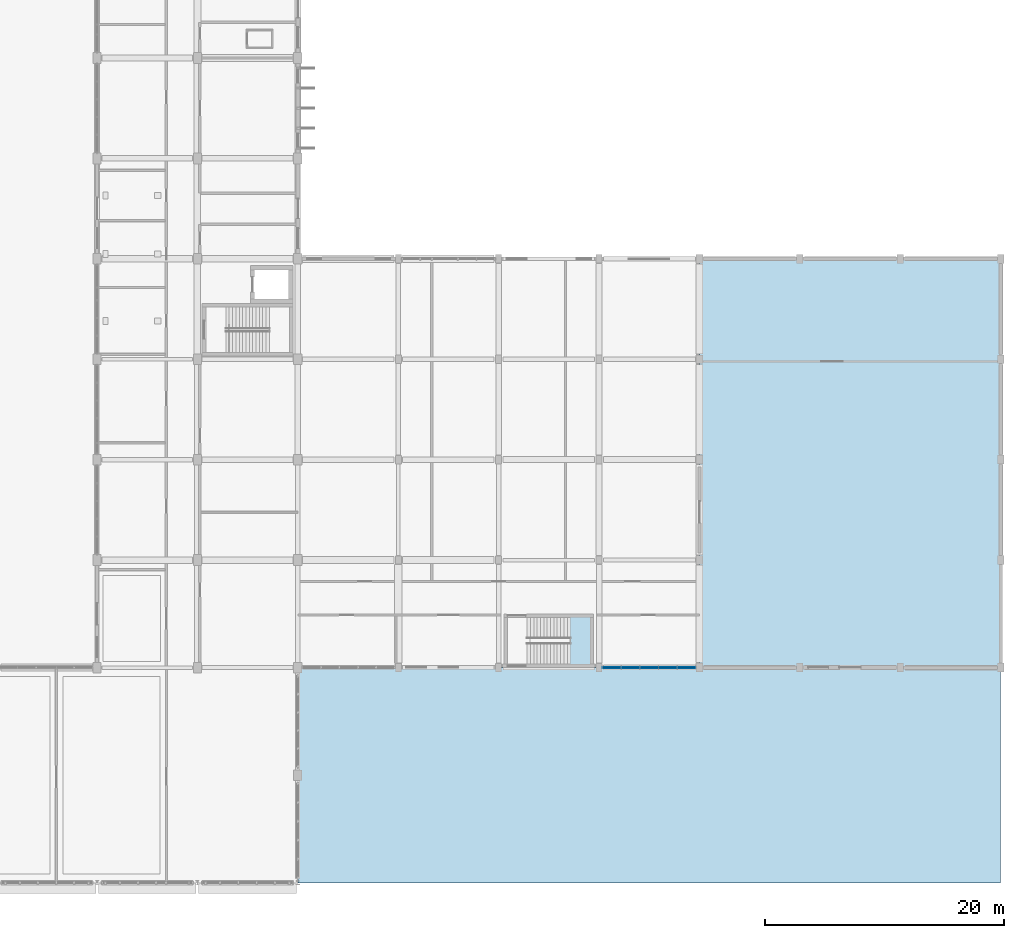
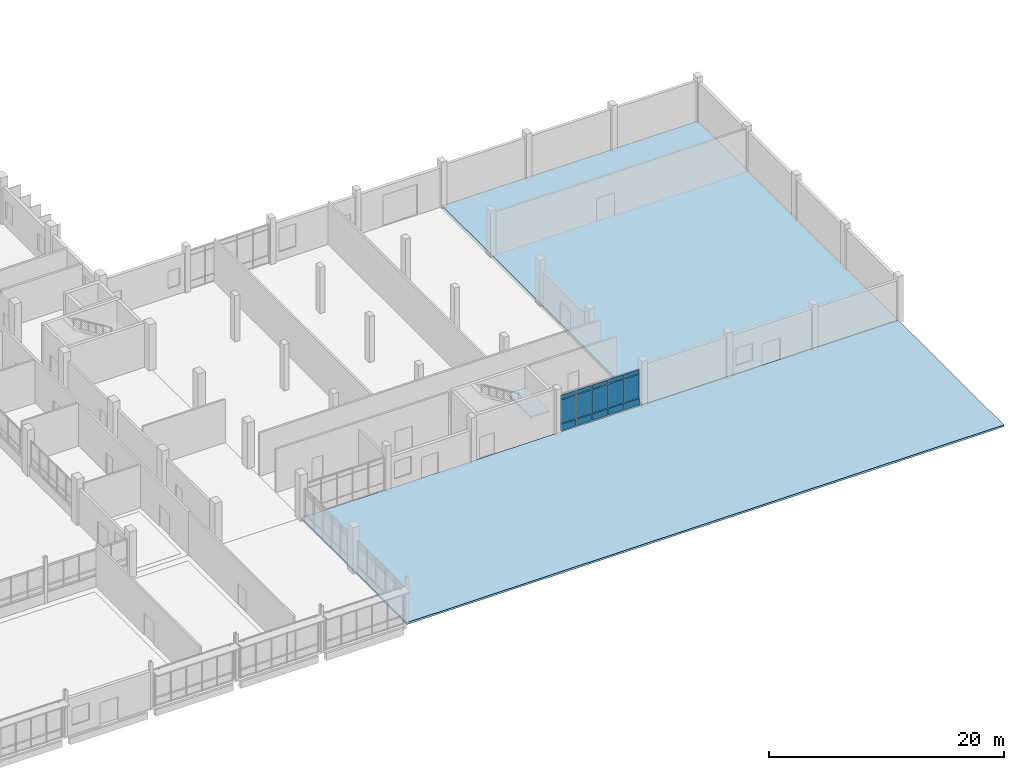
# One storey, part 71 of 95: 15 plates, 3 slabs, 2 elements without a shape of their own.
"""IFC4 building model written with IfcOpenShell, lengths in metres."""

import ifcopenshell
import ifcopenshell.guid

model = None  # the IFC model being written
_history = None  # IfcOwnerHistory: only IFC2X3 demands one
_inside = {}  # id of a spatial element -> (the spatial element, [elements in it])
_under = {}  # id of a project, library or spatial element -> (it, [spatial elements below it])
_declared = {}  # id of a project -> (the project, [libraries it declares])
_typed = {}  # id of a type object -> (the type object, [elements of that type])
_made_of = {}  # id of a material, layer set ... -> (it, [elements and type objects made of it])


def new_model(schema):
    """Start an empty IFC model of exactly this schema.

    Asked for "IFC4X3", IfcOpenShell would pick the latest addendum, in which some entities
    have other attributes; the version numbers below select the first issue.
    IFC2X3 requires an IfcOwnerHistory on every rooted entity: one is made here for all.
    """
    global model, _history
    if schema == "IFC4X3":
        model = ifcopenshell.file(schema_version=(4, 3, 0, 0))
    else:
        model = ifcopenshell.file(schema=schema)
    _inside.clear()
    _under.clear()
    _declared.clear()
    _typed.clear()
    _made_of.clear()
    _history = None
    if model.schema == "IFC2X3":
        org = make("IfcOrganization", Name="unknown")
        user = make(
            "IfcPersonAndOrganization",
            ThePerson=make("IfcPerson", FamilyName="unknown"),
            TheOrganization=org,
        )
        app = make(
            "IfcApplication",
            ApplicationDeveloper=org,
            Version="unknown",
            ApplicationFullName="unknown",
            ApplicationIdentifier="unknown",
        )
        _history = make(
            "IfcOwnerHistory",
            OwningUser=user,
            OwningApplication=app,
            ChangeAction="ADDED",
            CreationDate=0,
        )
    return model


def make(cls, **values):
    """One entity of the class cls with the attributes given. An attribute that is None is left unset."""
    return model.create_entity(
        cls, **{name: value for name, value in values.items() if value is not None}
    )


def rooted(cls, **values):
    """An entity with a GlobalId (a new one), such as an element, a storey or a relation."""
    return make(cls, GlobalId=ifcopenshell.guid.new(), OwnerHistory=_history, **values)


def si_unit(unit_type, name, prefix=None):
    """IfcSIUnit, for example si_unit("LENGTHUNIT", "METRE", prefix="MILLI")."""
    return make("IfcSIUnit", UnitType=unit_type, Prefix=prefix, Name=name)


def assignment(units):
    """IfcUnitAssignment: the units of a project."""
    return None if units is None else make("IfcUnitAssignment", Units=units)


def point(xyz):
    """IfcCartesianPoint."""
    return None if xyz is None else make("IfcCartesianPoint", Coordinates=xyz)


def direction(xyz):
    """IfcDirection."""
    return None if xyz is None else make("IfcDirection", DirectionRatios=xyz)


def frame(location, z_axis=None, x_axis=None):
    """IfcAxis2Placement3D, a coordinate frame: its origin and axes. An axis left out is left unset."""
    return make(
        "IfcAxis2Placement3D",
        Location=point(location),
        Axis=direction(z_axis),
        RefDirection=direction(x_axis),
    )


def frame_2d(location, x_axis=None):
    """IfcAxis2Placement2D, a coordinate frame in the plane: its origin and x axis."""
    return make(
        "IfcAxis2Placement2D", Location=point(location), RefDirection=direction(x_axis)
    )


def origin():
    """The frame at (0, 0, 0) with its axes left unset."""
    return frame((0.0, 0.0, 0.0))


def origin_2d():
    """The frame at (0, 0) in the plane with its x axis left unset."""
    return frame_2d((0.0, 0.0))


def place(relative_to, where):
    """IfcLocalPlacement: puts the frame where relative to a parent placement (None: the world)."""
    return make(
        "IfcLocalPlacement", PlacementRelTo=relative_to, RelativePlacement=where
    )


def context(
    kind, dimensions, precision=None, world=None, true_north=None, identifier=None
):
    """IfcGeometricRepresentationContext, for example the 3D "Model" context."""
    return make(
        "IfcGeometricRepresentationContext",
        ContextIdentifier=identifier,
        ContextType=kind,
        CoordinateSpaceDimension=dimensions,
        Precision=precision,
        WorldCoordinateSystem=world,
        TrueNorth=true_north,
    )


def subcontext(parent, identifier, kind, view, scale=None):
    """IfcGeometricRepresentationSubContext, for example "Body" below "Model"."""
    return make(
        "IfcGeometricRepresentationSubContext",
        ContextIdentifier=identifier,
        ContextType=kind,
        ParentContext=parent,
        TargetScale=scale,
        TargetView=view,
    )


def project(units=None, contexts=None):
    """IfcProject with its units and contexts."""
    return rooted(
        "IfcProject",
        Name="project",
        RepresentationContexts=contexts,
        UnitsInContext=assignment(units),
    )


def spatial(cls, under=None, at=None, **own):
    """A site, building, storey or space (cls), placed at a placement, below another one or the project."""
    s = rooted(cls, ObjectPlacement=at, **own)
    if under is not None:
        _under.setdefault(under.id(), (under, []))[1].append(s)
    return s


def polyline(points):
    """IfcPolyline through the points."""
    return make("IfcPolyline", Points=[point(p) for p in points])


def profile(cls, at=None, kind="AREA", **sizes):
    """A parametric profile (cls). Its sizes go by their IFC names, for example OverallWidth=200.0."""
    return make(cls, ProfileType=kind, Position=at, **sizes)


def rectangle(**sizes):
    """IfcRectangleProfileDef."""
    return profile("IfcRectangleProfileDef", **sizes)


def outline(outer, holes=None, kind="AREA"):
    """IfcArbitraryClosedProfileDef: a profile drawn as a closed curve; with holes, ...WithVoids."""
    if holes is None:
        return make("IfcArbitraryClosedProfileDef", ProfileType=kind, OuterCurve=outer)
    return make(
        "IfcArbitraryProfileDefWithVoids",
        ProfileType=kind,
        OuterCurve=outer,
        InnerCurves=holes,
    )


def extrude(swept, where, along, depth):
    """IfcExtrudedAreaSolid: the profile swept, set in the frame where, extruded along a direction by depth."""
    return make(
        "IfcExtrudedAreaSolid",
        SweptArea=swept,
        Position=where,
        ExtrudedDirection=direction(along),
        Depth=depth,
    )


def shape(context_of_items, identifier, shape_type, items):
    """IfcShapeRepresentation: the items that make up one representation, for example the "Body"."""
    return make(
        "IfcShapeRepresentation",
        ContextOfItems=context_of_items,
        RepresentationIdentifier=identifier,
        RepresentationType=shape_type,
        Items=items,
    )


def material(Name=None, Category=None):
    """IfcMaterial."""
    return make("IfcMaterial", Name=Name, Category=Category)


def layer(
    of_material, thickness, ventilated=None, Name=None, Category=None, Priority=None
):
    """IfcMaterialLayer: one layer of a wall or slab, of a material (None: an air gap)."""
    return make(
        "IfcMaterialLayer",
        Material=of_material,
        LayerThickness=thickness,
        IsVentilated=ventilated,
        Name=Name,
        Category=Category,
        Priority=Priority,
    )


def layer_set(layers, Name=None):
    """IfcMaterialLayerSet."""
    return make("IfcMaterialLayerSet", MaterialLayers=layers, LayerSetName=Name)


def made_of(thing, what):
    """Note that an element or type object is made of a material, layer set ...; save() writes the relation."""
    if what is not None:
        _made_of.setdefault(what.id(), (what, []))[1].append(thing)
    return thing


def type_object(cls, material=None, **own):
    """A type object (cls), such as IfcWallType, which elements share."""
    return made_of(rooted(cls, **own), material)


def element(
    cls,
    number,
    at=None,
    inside=None,
    cuts=None,
    type_object=None,
    material=None,
    context=None,
    identifier="Body",
    shape_type=None,
    held_by="IfcProductDefinitionShape",
    body=None,
    shapes=None,
    **own,
):
    """One element of the class cls, such as IfcWall. Its Tag is "e" and its number.

    at: its placement. inside: the storey or other place that contains it. cuts: it is an
    opening in that element (IfcRelVoidsElement). A single representation is given by context,
    identifier, shape_type and body (its items); several are given by shapes. held_by: the class
    of the entity that holds the representations. save() writes the other relations.
    """
    e = rooted(cls, Tag="e%d" % number, ObjectPlacement=at, **own)
    if body is not None:
        shapes = [shape(context, identifier, shape_type, body)]
    if shapes is not None:
        e.Representation = make(held_by, Representations=shapes)
    if inside is not None:
        _inside.setdefault(inside.id(), (inside, []))[1].append(e)
    if cuts is not None:
        rooted(
            "IfcRelVoidsElement", RelatingBuildingElement=cuts, RelatedOpeningElement=e
        )
    if type_object is not None:
        _typed.setdefault(type_object.id(), (type_object, []))[1].append(e)
    return made_of(e, material)


def aggregate(whole, parts):
    """IfcRelAggregates: a whole, such as a stair, and the parts it consists of."""
    return rooted("IfcRelAggregates", RelatingObject=whole, RelatedObjects=parts)


def save(model, path):
    """Write the relations noted so far, then the file.

    IfcRelAggregates (storeys below a building ...), IfcRelContainedInSpatialStructure (elements
    in a storey), IfcRelDefinesByType, IfcRelAssociatesMaterial and IfcRelDeclares: one each for
    every whole, place, type object, material and project.
    """
    for whole, parts in _under.values():
        aggregate(whole, parts)
    for where, things in _inside.values():
        rooted(
            "IfcRelContainedInSpatialStructure",
            RelatedElements=things,
            RelatingStructure=where,
        )
    for kind, things in _typed.values():
        rooted("IfcRelDefinesByType", RelatedObjects=things, RelatingType=kind)
    for what, things in _made_of.values():
        rooted("IfcRelAssociatesMaterial", RelatedObjects=things, RelatingMaterial=what)
    for by, libraries in _declared.values():
        rooted("IfcRelDeclares", RelatingContext=by, RelatedDefinitions=libraries)
    model.write(path)


model = new_model("IFC4")

# Units and contexts
model_context = context("Model", 3, precision=1e-05, world=origin(), true_north=direction((0.0, 1.0)))
body_context = subcontext(model_context, "Body", "Model", "MODEL_VIEW")
ifc_project = project(units=[si_unit("LENGTHUNIT", "METRE"), si_unit("AREAUNIT", "SQUARE_METRE"), si_unit("VOLUMEUNIT", "CUBIC_METRE"), si_unit("PLANEANGLEUNIT", "RADIAN"), si_unit("MASSUNIT", "GRAM", prefix="KILO")], contexts=[model_context])

# Site, building, storey
site_placement = place(None, origin())
site = spatial("IfcSite", under=ifc_project, at=site_placement, CompositionType="ELEMENT")
building_placement = place(site_placement, origin())
building = spatial("IfcBuilding", under=site, at=building_placement, Name="Vireocrest Preparatory School", CompositionType="ELEMENT")
storey_placement = place(building_placement, origin())
storey = spatial("IfcBuildingStorey", under=building, at=storey_placement, Name="L00", CompositionType="ELEMENT", Elevation=0.0)

# Curtain wall, plates
ifc_material_1 = material(Name="Thermally broken aluminium EN AW-6063-T6", Category="aluminium")
ifc_layer_1 = layer(ifc_material_1, 0.179931640625)
ifc_layer_set_1 = layer_set([ifc_layer_1], Name="Thermally broken aluminium EN AW-6063-T6")
curtain_wall_type = type_object("IfcCurtainWallType", Name="Botanical Lab Glazing 8400x3400", PredefinedType="USERDEFINED", material=ifc_layer_set_1)
curtain_wall_placement = place(storey_placement, origin())
curtain_wall = element("IfcCurtainWall", 1, at=curtain_wall_placement, inside=storey, type_object=curtain_wall_type, Name="Curtain Wall CW15 CW_L00_CW15_1346_0180_000", ObjectType="CURTAIN WALL", PredefinedType="USERDEFINED")
ifc_material_2 = material(Name="Insulated triple low-e tempered safety glass", Category="glass")
ifc_layer_2 = layer(ifc_material_2, 0.074951171875)
ifc_layer_set_2 = layer_set([ifc_layer_2], Name="Insulated triple low-e tempered safety glass")
plate_type_1 = type_object("IfcPlateType", Name="Acoustic Triple-Glazed Lab Curtain Panel 75", PredefinedType="CURTAIN_PANEL", material=ifc_layer_set_2)
plate_1_placement = place(storey_placement, frame((135.465576171875, 18.0, 0.882568359375), z_axis=(0.0, 0.0, 1.0), x_axis=(1.0, 0.0, 0.0)))
plate_1 = element("IfcPlate", 2, at=plate_1_placement, type_object=plate_type_1, Name="CW Panel GL2 CW_L00_CW15_1346_0180_000-1-2", PredefinedType="CURTAIN_PANEL", context=body_context, shape_type="SweptSolid", body=[
    extrude(rectangle(XDim=1.49609375, YDim=0.074951171875, at=origin_2d()), origin(), (0.0, 0.0, 1.0), 2.455078125),
])
plate_2_placement = place(storey_placement, frame((135.465576171875, 18.0, 3.40234375), z_axis=(0.0, 0.0, 1.0), x_axis=(1.0, 0.0, 0.0)))
plate_2 = element("IfcPlate", 3, at=plate_2_placement, type_object=plate_type_1, Name="CW Panel GL2 CW_L00_CW15_1346_0180_000-1-3", PredefinedType="CURTAIN_PANEL", context=body_context, shape_type="SweptSolid", body=[
    extrude(rectangle(XDim=1.49609375, YDim=0.074951171875, at=origin_2d()), origin(), (0.0, 0.0, 1.0), 0.409912109375),
])
plate_3_placement = place(storey_placement, frame((137.026611328125, 18.0, 0.882568359375), z_axis=(0.0, 0.0, 1.0), x_axis=(1.0, 0.0, 0.0)))
plate_3 = element("IfcPlate", 4, at=plate_3_placement, type_object=plate_type_1, Name="CW Panel GL2 CW_L00_CW15_1346_0180_000-2-2", PredefinedType="CURTAIN_PANEL", context=body_context, shape_type="SweptSolid", body=[
    extrude(rectangle(XDim=1.49609375, YDim=0.074951171875, at=origin_2d()), origin(), (0.0, 0.0, 1.0), 2.455078125),
])
plate_4_placement = place(storey_placement, frame((137.026611328125, 18.0, 3.40234375), z_axis=(0.0, 0.0, 1.0), x_axis=(1.0, 0.0, 0.0)))
plate_4 = element("IfcPlate", 5, at=plate_4_placement, type_object=plate_type_1, Name="CW Panel GL2 CW_L00_CW15_1346_0180_000-2-3", PredefinedType="CURTAIN_PANEL", context=body_context, shape_type="SweptSolid", body=[
    extrude(rectangle(XDim=1.49609375, YDim=0.074951171875, at=origin_2d()), origin(), (0.0, 0.0, 1.0), 0.409912109375),
])
plate_5_placement = place(storey_placement, frame((138.58740234375, 18.0, 0.882568359375), z_axis=(0.0, 0.0, 1.0), x_axis=(1.0, 0.0, 0.0)))
plate_5 = element("IfcPlate", 6, at=plate_5_placement, type_object=plate_type_1, Name="CW Panel GL2 CW_L00_CW15_1346_0180_000-3-2", PredefinedType="CURTAIN_PANEL", context=body_context, shape_type="SweptSolid", body=[
    extrude(rectangle(XDim=1.49609375, YDim=0.074951171875, at=origin_2d()), origin(), (0.0, 0.0, 1.0), 2.455078125),
])
plate_6_placement = place(storey_placement, frame((138.58740234375, 18.0, 3.40234375), z_axis=(0.0, 0.0, 1.0), x_axis=(1.0, 0.0, 0.0)))
plate_6 = element("IfcPlate", 7, at=plate_6_placement, type_object=plate_type_1, Name="CW Panel GL2 CW_L00_CW15_1346_0180_000-3-3", PredefinedType="CURTAIN_PANEL", context=body_context, shape_type="SweptSolid", body=[
    extrude(rectangle(XDim=1.49609375, YDim=0.074951171875, at=origin_2d()), origin(), (0.0, 0.0, 1.0), 0.409912109375),
])
plate_7_placement = place(storey_placement, frame((140.1484375, 18.0, 0.882568359375), z_axis=(0.0, 0.0, 1.0), x_axis=(1.0, 0.0, 0.0)))
plate_7 = element("IfcPlate", 8, at=plate_7_placement, type_object=plate_type_1, Name="CW Panel GL2 CW_L00_CW15_1346_0180_000-4-2", PredefinedType="CURTAIN_PANEL", context=body_context, shape_type="SweptSolid", body=[
    extrude(rectangle(XDim=1.49609375, YDim=0.074951171875, at=origin_2d()), origin(), (0.0, 0.0, 1.0), 2.455078125),
])
plate_8_placement = place(storey_placement, frame((140.1484375, 18.0, 3.40234375), z_axis=(0.0, 0.0, 1.0), x_axis=(1.0, 0.0, 0.0)))
plate_8 = element("IfcPlate", 9, at=plate_8_placement, type_object=plate_type_1, Name="CW Panel GL2 CW_L00_CW15_1346_0180_000-4-3", PredefinedType="CURTAIN_PANEL", context=body_context, shape_type="SweptSolid", body=[
    extrude(rectangle(XDim=1.49609375, YDim=0.074951171875, at=origin_2d()), origin(), (0.0, 0.0, 1.0), 0.409912109375),
])
plate_9_placement = place(storey_placement, frame((141.70947265625, 18.0, 0.882568359375), z_axis=(0.0, 0.0, 1.0), x_axis=(1.0, 0.0, 0.0)))
plate_9 = element("IfcPlate", 10, at=plate_9_placement, type_object=plate_type_1, Name="CW Panel GL2 CW_L00_CW15_1346_0180_000-5-2", PredefinedType="CURTAIN_PANEL", context=body_context, shape_type="SweptSolid", body=[
    extrude(rectangle(XDim=1.49609375, YDim=0.074951171875, at=origin_2d()), origin(), (0.0, 0.0, 1.0), 2.455078125),
])
plate_10_placement = place(storey_placement, frame((141.70947265625, 18.0, 3.40234375), z_axis=(0.0, 0.0, 1.0), x_axis=(1.0, 0.0, 0.0)))
plate_10 = element("IfcPlate", 11, at=plate_10_placement, type_object=plate_type_1, Name="CW Panel GL2 CW_L00_CW15_1346_0180_000-5-3", PredefinedType="CURTAIN_PANEL", context=body_context, shape_type="SweptSolid", body=[
    extrude(rectangle(XDim=1.49609375, YDim=0.074951171875, at=origin_2d()), origin(), (0.0, 0.0, 1.0), 0.409912109375),
])
ifc_material_3 = material(Name="Painted white aluminium cladding EN AW-6063-T6", Category="aluminium")
ifc_layer_3 = layer(ifc_material_3, 0.114990234375)
ifc_layer_set_3 = layer_set([ifc_layer_3], Name="Painted white aluminium cladding EN AW-6063-T6")
plate_type_2 = type_object("IfcPlateType", Name="Insulated White Spandrel Curtain Panel 115", PredefinedType="CURTAIN_PANEL", material=ifc_layer_set_3)
plate_11_placement = place(storey_placement, frame((135.465576171875, 18.0, 0.12744140625), z_axis=(0.0, 0.0, 1.0), x_axis=(1.0, 0.0, 0.0)))
plate_11 = element("IfcPlate", 12, at=plate_11_placement, type_object=plate_type_2, Name="CW Panel SP2 CW_L00_CW15_1346_0180_000-1-1", PredefinedType="CURTAIN_PANEL", context=body_context, shape_type="SweptSolid", body=[
    extrude(rectangle(XDim=1.49609375, YDim=0.114990234375, at=origin_2d()), origin(), (0.0, 0.0, 1.0), 0.68994140625),
])
plate_12_placement = place(storey_placement, frame((137.026611328125, 18.0, 0.12744140625), z_axis=(0.0, 0.0, 1.0), x_axis=(1.0, 0.0, 0.0)))
plate_12 = element("IfcPlate", 13, at=plate_12_placement, type_object=plate_type_2, Name="CW Panel SP2 CW_L00_CW15_1346_0180_000-2-1", PredefinedType="CURTAIN_PANEL", context=body_context, shape_type="SweptSolid", body=[
    extrude(rectangle(XDim=1.49609375, YDim=0.114990234375, at=origin_2d()), origin(), (0.0, 0.0, 1.0), 0.68994140625),
])
plate_13_placement = place(storey_placement, frame((138.58740234375, 18.0, 0.12744140625), z_axis=(0.0, 0.0, 1.0), x_axis=(1.0, 0.0, 0.0)))
plate_13 = element("IfcPlate", 14, at=plate_13_placement, type_object=plate_type_2, Name="CW Panel SP2 CW_L00_CW15_1346_0180_000-3-1", PredefinedType="CURTAIN_PANEL", context=body_context, shape_type="SweptSolid", body=[
    extrude(rectangle(XDim=1.49609375, YDim=0.114990234375, at=origin_2d()), origin(), (0.0, 0.0, 1.0), 0.68994140625),
])
plate_14_placement = place(storey_placement, frame((140.1484375, 18.0, 0.12744140625), z_axis=(0.0, 0.0, 1.0), x_axis=(1.0, 0.0, 0.0)))
plate_14 = element("IfcPlate", 15, at=plate_14_placement, type_object=plate_type_2, Name="CW Panel SP2 CW_L00_CW15_1346_0180_000-4-1", PredefinedType="CURTAIN_PANEL", context=body_context, shape_type="SweptSolid", body=[
    extrude(rectangle(XDim=1.49609375, YDim=0.114990234375, at=origin_2d()), origin(), (0.0, 0.0, 1.0), 0.68994140625),
])
plate_15_placement = place(storey_placement, frame((141.70947265625, 18.0, 0.12744140625), z_axis=(0.0, 0.0, 1.0), x_axis=(1.0, 0.0, 0.0)))
plate_15 = element("IfcPlate", 16, at=plate_15_placement, type_object=plate_type_2, Name="CW Panel SP2 CW_L00_CW15_1346_0180_000-5-1", PredefinedType="CURTAIN_PANEL", context=body_context, shape_type="SweptSolid", body=[
    extrude(rectangle(XDim=1.49609375, YDim=0.114990234375, at=origin_2d()), origin(), (0.0, 0.0, 1.0), 0.68994140625),
])
aggregate(curtain_wall, [plate_11, plate_1, plate_2, plate_12, plate_3, plate_4, plate_13, plate_5, plate_6, plate_14, plate_7, plate_8, plate_15, plate_9, plate_10])

# Slab
ifc_material_4 = material(Name="Concrete 40 MPa", Category="concrete")
ifc_layer_4 = layer(ifc_material_4, 0.199951171875)
ifc_layer_set_4 = layer_set([ifc_layer_4], Name="Concrete 40 MPa")
slab_type_1 = type_object("IfcSlabType", Name="Outdoor Courtyard Permeable Concrete Paving Slab 200", PredefinedType="BASESLAB", material=ifc_layer_set_4)
slab_1_placement = place(storey_placement, frame((0.0, 0.0, -0.199951171875)))
element("IfcSlab", 17, at=slab_1_placement, inside=storey, type_object=slab_type_1, Name="Slab L00_SOUTH_PLAY_E", PredefinedType="BASESLAB", context=body_context, shape_type="SweptSolid", body=[
    extrude(outline(polyline([(109.199951171875, 0.0), (168.0, 0.0), (168.0, 18.0), (109.199951171875, 18.0), (109.199951171875, 0.0)])), origin(), (0.0, 0.0, 1.0), 0.199951171875),
])

# Stair, slab
stair_type = type_object("IfcStairType", Name="Feature Commons Stair 4800 Rise 1800 Wide", PredefinedType="HALF_TURN_STAIR", material=ifc_material_4)
stair_placement = place(storey_placement, origin())
stair = element("IfcStair", 18, at=stair_placement, inside=storey, type_object=stair_type, Name="Two-Run Stair ST6-L00", PredefinedType="HALF_TURN_STAIR")
ifc_layer_5 = layer(ifc_material_4, 0.179931640625)
ifc_layer_set_5 = layer_set([ifc_layer_5], Name="Concrete 40 MPa")
slab_type_2 = type_object("IfcSlabType", Name="Precast Concrete Stair Landing Slab 180", PredefinedType="LANDING", material=ifc_layer_set_5)
slab_2_placement = place(storey_placement, frame((0.0, 0.0, 2.219970703125)))
slab_2 = element("IfcSlab", 19, at=slab_2_placement, type_object=slab_type_2, Name="Stair Half-Landing ST6-L00", PredefinedType="LANDING", context=body_context, shape_type="SweptSolid", body=[
    extrude(outline(polyline([(131.9599609375, 18.260009765625), (133.794921875, 18.260009765625), (133.794921875, 22.239990234375), (131.9599609375, 22.239990234375), (131.9599609375, 18.260009765625)])), origin(), (0.0, 0.0, 1.0), 0.179931640625),
])
aggregate(stair, [slab_2])

# Slab
ifc_layer_6 = layer(ifc_material_4, 0.3798828125)
ifc_layer_set_6 = layer_set([ifc_layer_6], Name="Concrete 40 MPa")
slab_type_3 = type_object("IfcSlabType", Name="Sports and Assembly Hall Ground RC Slab 380", PredefinedType="BASESLAB", material=ifc_layer_set_6)
slab_3_placement = place(storey_placement, frame((0.0, 0.0, -0.3798828125)))
element("IfcSlab", 20, at=slab_3_placement, inside=storey, type_object=slab_type_3, Name="Slab L00_ASSEMBLY_HALL", PredefinedType="BASESLAB", context=body_context, shape_type="SweptSolid", body=[
    extrude(outline(polyline([(142.800048828125, 18.0), (168.0, 18.0), (168.0, 52.199951171875), (142.800048828125, 52.199951171875), (142.800048828125, 18.0)])), origin(), (0.0, 0.0, 1.0), 0.3798828125),
])

save(model, "model.ifc")
